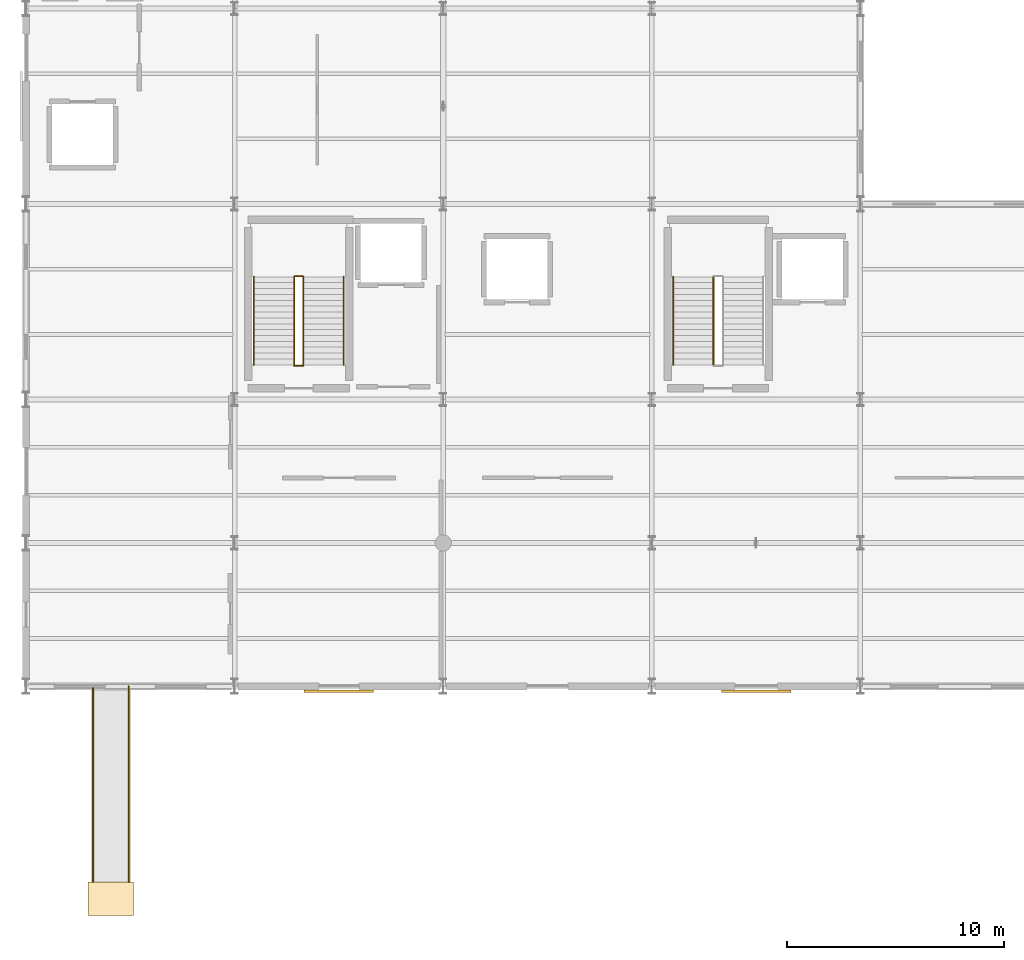
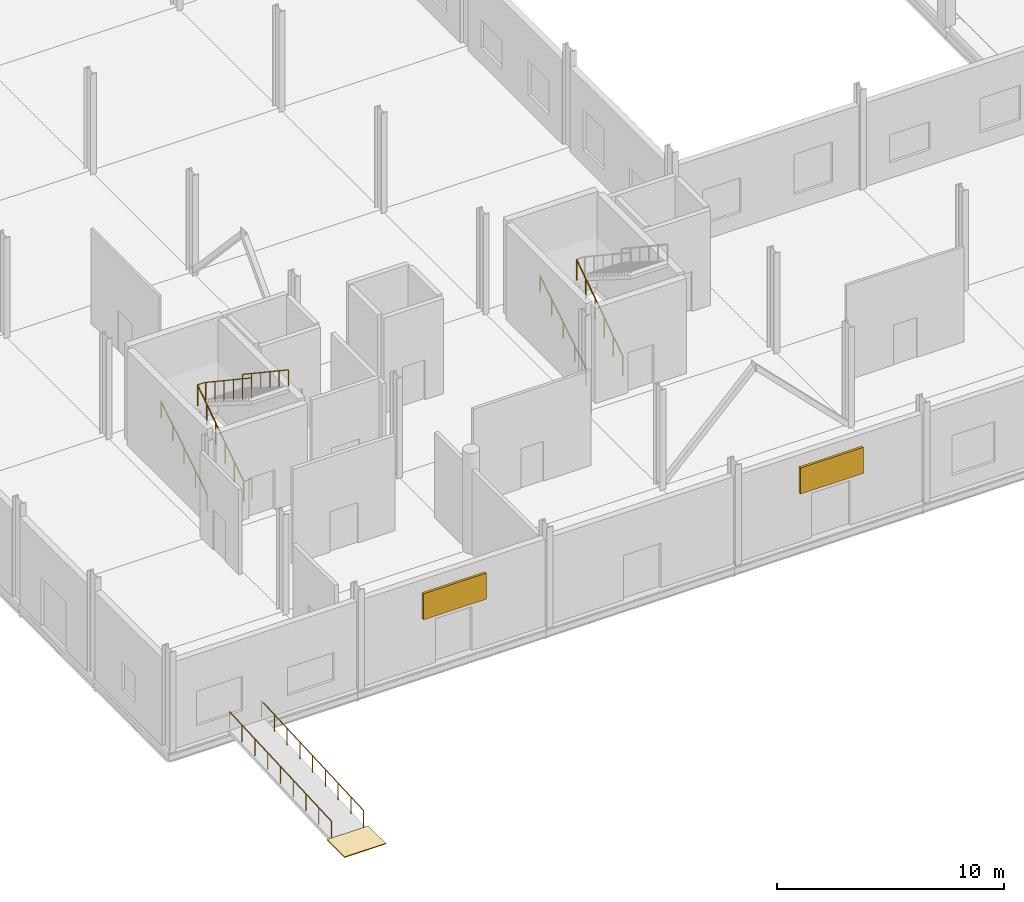
# One storey, part 75 of 85: 10 railings, 2 shading devices, 1 covering.
"""IFC4 building model written with IfcOpenShell, lengths in metres."""

from ifc_helpers import new_model, si_unit, direction, frame, origin, origin_2d, place, context, subcontext, project, spatial, polyline, rectangle, circle, outline, extrude, material, layer, layer_set, type_object, element, save


model = new_model("IFC4")

# Units and contexts
model_context = context("Model", 3, precision=1e-05, world=origin(), true_north=direction((0.0, 1.0)))
body_context = subcontext(model_context, "Body", "Model", "MODEL_VIEW")
ifc_project = project(units=[si_unit("LENGTHUNIT", "METRE"), si_unit("AREAUNIT", "SQUARE_METRE"), si_unit("VOLUMEUNIT", "CUBIC_METRE"), si_unit("PLANEANGLEUNIT", "RADIAN"), si_unit("MASSUNIT", "GRAM", prefix="KILO")], contexts=[model_context])

# Site, building, storey
site_placement = place(None, origin())
site = spatial("IfcSite", under=ifc_project, at=site_placement, CompositionType="ELEMENT")
building_placement = place(site_placement, origin())
building = spatial("IfcBuilding", under=site, at=building_placement, Name="Zarnetskaya Central Station", CompositionType="ELEMENT")
storey_placement = place(building_placement, origin())
storey = spatial("IfcBuildingStorey", under=building, at=storey_placement, Name="L00", CompositionType="ELEMENT", Elevation=0.0)

# Covering
ifc_material_1 = material(Name="Granite stone sidewalk paving", Category="masonry")
ifc_layer = layer(ifc_material_1, 0.050048828125, Name="Granite stone sidewalk paving", Category="masonry")
ifc_layer_set = layer_set([ifc_layer], Name="Granite stone sidewalk paving")
covering_type = type_object("IfcCoveringType", Name="COV-PAVING", PredefinedType="USERDEFINED", material=ifc_layer_set)
covering_placement = place(storey_placement, frame((0.0, 0.0, -0.5)))
element("IfcCovering", 1, at=covering_placement, inside=storey, type_object=covering_type, Name="Accessible ramp lower landing paving RM-01", ObjectType="PAVING", PredefinedType="USERDEFINED", context=body_context, shape_type="SweptSolid", body=[
    extrude(outline(polyline([(2.85009765625, -10.550048828125), (4.949951171875, -10.550048828125), (4.949951171875, -9.0), (2.85009765625, -9.0), (2.85009765625, -10.550048828125)])), origin(), (0.0, 0.0, 1.0), 0.050048828125),
])

# Railings
ifc_material_2 = material(Name="Steel S355", Category="steel")
railing_type_1 = type_object("IfcRailingType", Name="RAIL-HAND-900", PredefinedType="HANDRAIL", material=ifc_material_2)
railing_1_placement = place(storey_placement, frame((10.47998046875, 14.800048828125, 0.168701171875)))
element("IfcRailing", 2, at=railing_1_placement, inside=storey, type_object=railing_type_1, Name="Stair ST-C1 L00 flight 1 handrail", PredefinedType="HANDRAIL", context=body_context, shape_type="SweptSolid", body=[
    extrude(circle(Radius=0.02392578125, at=origin_2d()), frame((0.0, 0.0, 0.8759765625), z_axis=(0.0, 0.848001175806, 0.529994345094), x_axis=(-1.0, 0.0, 0.0)), (0.0, 0.0, 1.0), 4.77587890625),
    extrude(circle(Radius=0.02099609375, at=origin_2d()), origin(), (0.0, 0.0, 1.0), 0.851806640625),
    extrude(circle(Radius=0.02099609375, at=origin_2d()), frame((0.0, 1.012451171875, 0.6328125)), (0.0, 0.0, 1.0), 0.851806640625),
    extrude(circle(Radius=0.02099609375, at=origin_2d()), frame((0.0, 2.02490234375, 1.265625)), (0.0, 0.0, 1.0), 0.851806640625),
    extrude(circle(Radius=0.02099609375, at=origin_2d()), frame((0.0, 3.03759765625, 1.8984375)), (0.0, 0.0, 1.0), 0.851806640625),
    extrude(circle(Radius=0.02099609375, at=origin_2d()), frame((0.0, 4.050048828125, 2.53125)), (0.0, 0.0, 1.0), 0.851806640625),
])
railing_2_placement = place(storey_placement, frame((14.6201171875, 18.85009765625, 2.699951171875)))
element("IfcRailing", 3, at=railing_2_placement, inside=storey, type_object=railing_type_1, Name="Stair ST-C1 L00 flight 2 handrail", PredefinedType="HANDRAIL", context=body_context, shape_type="SweptSolid", body=[
    extrude(circle(Radius=0.02392578125, at=origin_2d()), frame((0.0, 0.0, 0.8759765625), z_axis=(0.0, -0.832058010752, 0.55468862143), x_axis=(1.0, 0.0, 0.0)), (0.0, 0.0, 1.0), 4.867431640625),
    extrude(circle(Radius=0.02099609375, at=origin_2d()), origin(), (0.0, 0.0, 1.0), 0.851806640625),
    extrude(circle(Radius=0.02099609375, at=origin_2d()), frame((0.0, -0.81005859375, 0.5400390625)), (0.0, 0.0, 1.0), 0.851806640625),
    extrude(circle(Radius=0.02099609375, at=origin_2d()), frame((0.0, -1.6201171875, 1.080078125)), (0.0, 0.0, 1.0), 0.851806640625),
    extrude(circle(Radius=0.02099609375, at=origin_2d()), frame((0.0, -2.429931640625, 1.619873046875)), (0.0, 0.0, 1.0), 0.851806640625),
    extrude(circle(Radius=0.02099609375, at=origin_2d()), frame((0.0, -3.239990234375, 2.159912109375)), (0.0, 0.0, 1.0), 0.851806640625),
    extrude(circle(Radius=0.02099609375, at=origin_2d()), frame((0.0, -4.050048828125, 2.699951171875)), (0.0, 0.0, 1.0), 0.851806640625),
])
railing_3_placement = place(storey_placement, frame((29.780029296875, 14.800048828125, 0.168701171875)))
element("IfcRailing", 4, at=railing_3_placement, inside=storey, type_object=railing_type_1, Name="Stair ST-C3 L00 flight 1 handrail", PredefinedType="HANDRAIL", context=body_context, shape_type="SweptSolid", body=[
    extrude(circle(Radius=0.02392578125, at=origin_2d()), frame((0.0, 0.0, 0.8759765625), z_axis=(0.0, 0.848001175806, 0.529994345094), x_axis=(-1.0, 0.0, 0.0)), (0.0, 0.0, 1.0), 4.77587890625),
    extrude(circle(Radius=0.02099609375, at=origin_2d()), origin(), (0.0, 0.0, 1.0), 0.851806640625),
    extrude(circle(Radius=0.02099609375, at=origin_2d()), frame((0.0, 1.012451171875, 0.6328125)), (0.0, 0.0, 1.0), 0.851806640625),
    extrude(circle(Radius=0.02099609375, at=origin_2d()), frame((0.0, 2.02490234375, 1.265625)), (0.0, 0.0, 1.0), 0.851806640625),
    extrude(circle(Radius=0.02099609375, at=origin_2d()), frame((0.0, 3.03759765625, 1.8984375)), (0.0, 0.0, 1.0), 0.851806640625),
    extrude(circle(Radius=0.02099609375, at=origin_2d()), frame((0.0, 4.050048828125, 2.53125)), (0.0, 0.0, 1.0), 0.851806640625),
])
railing_type_2 = type_object("IfcRailingType", Name="RAIL-HAND-EXT", PredefinedType="HANDRAIL", material=ifc_material_2)
for number, where, name in (
    (5, (3.080078125, -9.0, -0.449951171875), "Accessible ramp handrail RM-01-L"),
    (6, (4.719970703125, -9.0, -0.449951171875), "Accessible ramp handrail RM-01-R"),
):
    element("IfcRailing", number, at=place(storey_placement, frame(where)), inside=storey, type_object=railing_type_2, Name=name, PredefinedType="HANDRAIL", context=body_context, shape_type="SweptSolid", body=[
        extrude(circle(Radius=0.02392578125, at=origin_2d()), frame((0.0, 0.0, 0.89599609375), z_axis=(0.0, 0.998752609117, 0.049932211876), x_axis=(-1.0, 0.0, 0.0)), (0.0, 0.0, 1.0), 9.01123046875),
        extrude(circle(Radius=0.02099609375, at=origin_2d()), origin(), (0.0, 0.0, 1.0), 0.871826171875),
        extrude(circle(Radius=0.02099609375, at=origin_2d()), frame((0.0, 1.125, 0.05615234375)), (0.0, 0.0, 1.0), 0.871826171875),
        extrude(circle(Radius=0.02099609375, at=origin_2d()), frame((0.0, 2.25, 0.112548828125)), (0.0, 0.0, 1.0), 0.871826171875),
        extrude(circle(Radius=0.02099609375, at=origin_2d()), frame((0.0, 3.375, 0.168701171875)), (0.0, 0.0, 1.0), 0.871826171875),
        extrude(circle(Radius=0.02099609375, at=origin_2d()), frame((0.0, 4.5, 0.22509765625)), (0.0, 0.0, 1.0), 0.871826171875),
        extrude(circle(Radius=0.02099609375, at=origin_2d()), frame((0.0, 5.625, 0.28125)), (0.0, 0.0, 1.0), 0.871826171875),
        extrude(circle(Radius=0.02099609375, at=origin_2d()), frame((0.0, 6.75, 0.33740234375)), (0.0, 0.0, 1.0), 0.871826171875),
        extrude(circle(Radius=0.02099609375, at=origin_2d()), frame((0.0, 7.875, 0.393798828125)), (0.0, 0.0, 1.0), 0.871826171875),
        extrude(circle(Radius=0.02099609375, at=origin_2d()), frame((0.0, 9.0, 0.449951171875)), (0.0, 0.0, 1.0), 0.871826171875),
    ])
railing_type_3 = type_object("IfcRailingType", Name="RAIL-STAIR-GRD", PredefinedType="BALUSTRADE", material=ifc_material_2)
railing_4_placement = place(storey_placement, frame((12.340087890625, 14.760009765625, 0.0)))
element("IfcRailing", 7, at=railing_4_placement, inside=storey, type_object=railing_type_3, Name="Stair ST-C1 L00 floor well guard", PredefinedType="BALUSTRADE", context=body_context, shape_type="SweptSolid", body=[
    extrude(circle(Radius=0.02392578125, at=origin_2d()), frame((0.0, 0.0, 1.09619140625), z_axis=(1.0, 0.0, 0.0), x_axis=(0.0, 1.0, 0.0)), (0.0, 0.0, 1.0), 0.419921875),
    extrude(circle(Radius=0.02099609375, at=origin_2d()), origin(), (0.0, 0.0, 1.0), 1.072021484375),
    extrude(circle(Radius=0.02099609375, at=origin_2d()), frame((0.419921875, 0.0, 0.0)), (0.0, 0.0, 1.0), 1.072021484375),
])
railing_5_placement = place(storey_placement, frame((12.340087890625, 14.800048828125, 0.0)))
element("IfcRailing", 8, at=railing_5_placement, inside=storey, type_object=railing_type_3, Name="Stair ST-C1 L00 flight 1 well guard", PredefinedType="BALUSTRADE", context=body_context, shape_type="SweptSolid", body=[
    extrude(circle(Radius=0.02392578125, at=origin_2d()), frame((0.0, 0.0, 1.09619140625), z_axis=(0.0, 0.832058010752, 0.55468862143), x_axis=(-1.0, 0.0, 0.0)), (0.0, 0.0, 1.0), 4.867431640625),
    extrude(circle(Radius=0.02099609375, at=origin_2d()), origin(), (0.0, 0.0, 1.0), 1.072021484375),
    extrude(circle(Radius=0.02099609375, at=origin_2d()), frame((0.0, 0.81005859375, 0.5400390625)), (0.0, 0.0, 1.0), 1.072021484375),
    extrude(circle(Radius=0.02099609375, at=origin_2d()), frame((0.0, 1.6201171875, 1.080078125)), (0.0, 0.0, 1.0), 1.072021484375),
    extrude(circle(Radius=0.02099609375, at=origin_2d()), frame((0.0, 2.429931640625, 1.619873046875)), (0.0, 0.0, 1.0), 1.072021484375),
    extrude(circle(Radius=0.02099609375, at=origin_2d()), frame((0.0, 3.239990234375, 2.159912109375)), (0.0, 0.0, 1.0), 1.072021484375),
    extrude(circle(Radius=0.02099609375, at=origin_2d()), frame((0.0, 4.050048828125, 2.699951171875)), (0.0, 0.0, 1.0), 1.072021484375),
])
railing_6_placement = place(storey_placement, frame((12.340087890625, 18.8701171875, 2.699951171875)))
element("IfcRailing", 9, at=railing_6_placement, inside=storey, type_object=railing_type_3, Name="Stair ST-C1 L00 half-landing well guard", PredefinedType="BALUSTRADE", context=body_context, shape_type="SweptSolid", body=[
    extrude(circle(Radius=0.02392578125, at=origin_2d()), frame((0.0, 0.0, 1.09619140625), z_axis=(1.0, 0.0, 0.0), x_axis=(0.0, 1.0, 0.0)), (0.0, 0.0, 1.0), 0.419921875),
    extrude(circle(Radius=0.02099609375, at=origin_2d()), origin(), (0.0, 0.0, 1.0), 1.072021484375),
    extrude(circle(Radius=0.02099609375, at=origin_2d()), frame((0.419921875, 0.0, 0.0)), (0.0, 0.0, 1.0), 1.072021484375),
])
railing_7_placement = place(storey_placement, frame((12.760009765625, 18.85009765625, 2.699951171875)))
element("IfcRailing", 10, at=railing_7_placement, inside=storey, type_object=railing_type_3, Name="Stair ST-C1 L00 flight 2 well guard", PredefinedType="BALUSTRADE", context=body_context, shape_type="SweptSolid", body=[
    extrude(circle(Radius=0.02392578125, at=origin_2d()), frame((0.0, 0.0, 1.09619140625), z_axis=(0.0, -0.832058010752, 0.55468862143), x_axis=(1.0, 0.0, 0.0)), (0.0, 0.0, 1.0), 4.867431640625),
    extrude(circle(Radius=0.02099609375, at=origin_2d()), origin(), (0.0, 0.0, 1.0), 1.072021484375),
    extrude(circle(Radius=0.02099609375, at=origin_2d()), frame((0.0, -0.81005859375, 0.5400390625)), (0.0, 0.0, 1.0), 1.072021484375),
    extrude(circle(Radius=0.02099609375, at=origin_2d()), frame((0.0, -1.6201171875, 1.080078125)), (0.0, 0.0, 1.0), 1.072021484375),
    extrude(circle(Radius=0.02099609375, at=origin_2d()), frame((0.0, -2.429931640625, 1.619873046875)), (0.0, 0.0, 1.0), 1.072021484375),
    extrude(circle(Radius=0.02099609375, at=origin_2d()), frame((0.0, -3.239990234375, 2.159912109375)), (0.0, 0.0, 1.0), 1.072021484375),
    extrude(circle(Radius=0.02099609375, at=origin_2d()), frame((0.0, -4.050048828125, 2.699951171875)), (0.0, 0.0, 1.0), 1.072021484375),
])
railing_8_placement = place(storey_placement, frame((31.639892578125, 14.800048828125, 0.0)))
element("IfcRailing", 11, at=railing_8_placement, inside=storey, type_object=railing_type_3, Name="Stair ST-C3 L00 flight 1 well guard", PredefinedType="BALUSTRADE", context=body_context, shape_type="SweptSolid", body=[
    extrude(circle(Radius=0.02392578125, at=origin_2d()), frame((0.0, 0.0, 1.09619140625), z_axis=(0.0, 0.832058010752, 0.55468862143), x_axis=(-1.0, 0.0, 0.0)), (0.0, 0.0, 1.0), 4.867431640625),
    extrude(circle(Radius=0.02099609375, at=origin_2d()), origin(), (0.0, 0.0, 1.0), 1.072021484375),
    extrude(circle(Radius=0.02099609375, at=origin_2d()), frame((0.0, 0.81005859375, 0.5400390625)), (0.0, 0.0, 1.0), 1.072021484375),
    extrude(circle(Radius=0.02099609375, at=origin_2d()), frame((0.0, 1.6201171875, 1.080078125)), (0.0, 0.0, 1.0), 1.072021484375),
    extrude(circle(Radius=0.02099609375, at=origin_2d()), frame((0.0, 2.429931640625, 1.619873046875)), (0.0, 0.0, 1.0), 1.072021484375),
    extrude(circle(Radius=0.02099609375, at=origin_2d()), frame((0.0, 3.239990234375, 2.159912109375)), (0.0, 0.0, 1.0), 1.072021484375),
    extrude(circle(Radius=0.02099609375, at=origin_2d()), frame((0.0, 4.050048828125, 2.699951171875)), (0.0, 0.0, 1.0), 1.072021484375),
])

# Shading devices
ifc_material_3 = material(Name="Anodised aluminium", Category="aluminium")
shading_device_type = type_object("IfcShadingDeviceType", Name="SHD-JALOUSIE-A", PredefinedType="JALOUSIE", material=ifc_material_3)
for number, where, z_axis, x_axis, name in (
    (12, (33.60009765625, -0.219970703125, 2.650146484375), (0.0, 0.0, 1.0), (-1.0, 0.0, 0.0), "Acoustic ventilation jalousie L00"),
    (13, (14.39990234375, -0.219970703125, 2.60009765625), (0.0, 0.0, 1.0), (-1.0, 0.0, 0.0), "Acoustic ventilation jalousie L00"),
):
    element("IfcShadingDevice", number, at=place(storey_placement, frame(where, z_axis=z_axis, x_axis=x_axis)), inside=storey, type_object=shading_device_type, Name=name, PredefinedType="JALOUSIE", context=body_context, shape_type="SweptSolid", body=[
        extrude(rectangle(XDim=3.199951171875, YDim=0.1201171875, at=origin_2d()), origin(), (0.0, 0.0, 1.0), 1.39990234375),
    ])

save(model, "model.ifc")
